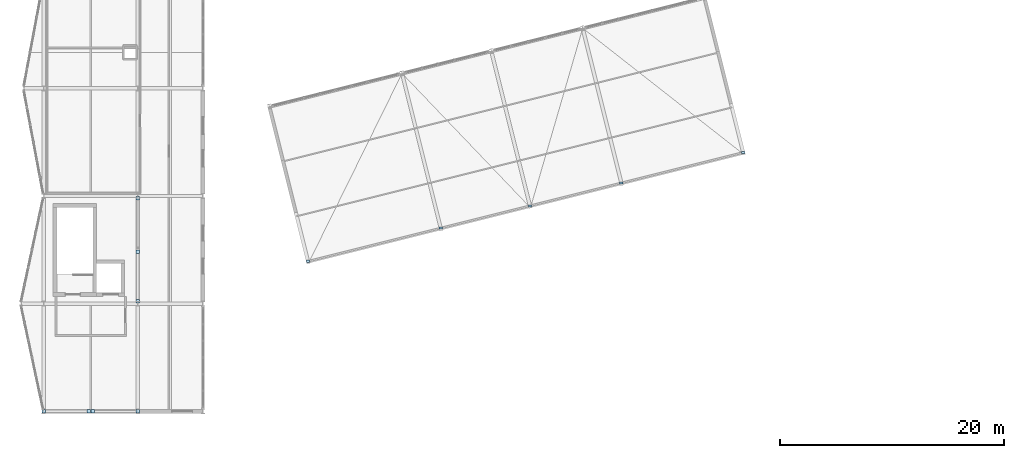
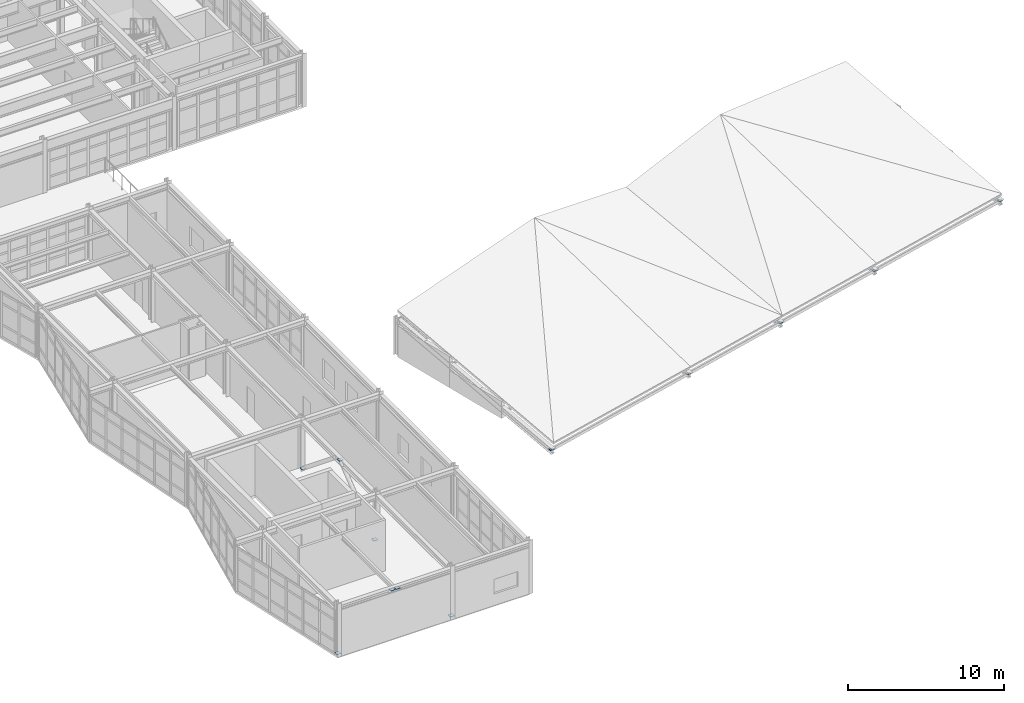
# One storey, part 38 of 47: 12 plates.
"""IFC4 building model written with IfcOpenShell, lengths in metres."""

import ifcopenshell
import ifcopenshell.guid

model = None  # the IFC model being written
_history = None  # IfcOwnerHistory: only IFC2X3 demands one
_inside = {}  # id of a spatial element -> (the spatial element, [elements in it])
_under = {}  # id of a project, library or spatial element -> (it, [spatial elements below it])
_declared = {}  # id of a project -> (the project, [libraries it declares])
_typed = {}  # id of a type object -> (the type object, [elements of that type])
_made_of = {}  # id of a material, layer set ... -> (it, [elements and type objects made of it])


def new_model(schema):
    """Start an empty IFC model of exactly this schema.

    Asked for "IFC4X3", IfcOpenShell would pick the latest addendum, in which some entities
    have other attributes; the version numbers below select the first issue.
    IFC2X3 requires an IfcOwnerHistory on every rooted entity: one is made here for all.
    """
    global model, _history
    if schema == "IFC4X3":
        model = ifcopenshell.file(schema_version=(4, 3, 0, 0))
    else:
        model = ifcopenshell.file(schema=schema)
    _inside.clear()
    _under.clear()
    _declared.clear()
    _typed.clear()
    _made_of.clear()
    _history = None
    if model.schema == "IFC2X3":
        org = make("IfcOrganization", Name="unknown")
        user = make(
            "IfcPersonAndOrganization",
            ThePerson=make("IfcPerson", FamilyName="unknown"),
            TheOrganization=org,
        )
        app = make(
            "IfcApplication",
            ApplicationDeveloper=org,
            Version="unknown",
            ApplicationFullName="unknown",
            ApplicationIdentifier="unknown",
        )
        _history = make(
            "IfcOwnerHistory",
            OwningUser=user,
            OwningApplication=app,
            ChangeAction="ADDED",
            CreationDate=0,
        )
    return model


def make(cls, **values):
    """One entity of the class cls with the attributes given. An attribute that is None is left unset."""
    return model.create_entity(
        cls, **{name: value for name, value in values.items() if value is not None}
    )


def rooted(cls, **values):
    """An entity with a GlobalId (a new one), such as an element, a storey or a relation."""
    return make(cls, GlobalId=ifcopenshell.guid.new(), OwnerHistory=_history, **values)


def si_unit(unit_type, name, prefix=None):
    """IfcSIUnit, for example si_unit("LENGTHUNIT", "METRE", prefix="MILLI")."""
    return make("IfcSIUnit", UnitType=unit_type, Prefix=prefix, Name=name)


def assignment(units):
    """IfcUnitAssignment: the units of a project."""
    return None if units is None else make("IfcUnitAssignment", Units=units)


def point(xyz):
    """IfcCartesianPoint."""
    return None if xyz is None else make("IfcCartesianPoint", Coordinates=xyz)


def direction(xyz):
    """IfcDirection."""
    return None if xyz is None else make("IfcDirection", DirectionRatios=xyz)


def frame(location, z_axis=None, x_axis=None):
    """IfcAxis2Placement3D, a coordinate frame: its origin and axes. An axis left out is left unset."""
    return make(
        "IfcAxis2Placement3D",
        Location=point(location),
        Axis=direction(z_axis),
        RefDirection=direction(x_axis),
    )


def frame_2d(location, x_axis=None):
    """IfcAxis2Placement2D, a coordinate frame in the plane: its origin and x axis."""
    return make(
        "IfcAxis2Placement2D", Location=point(location), RefDirection=direction(x_axis)
    )


def origin():
    """The frame at (0, 0, 0) with its axes left unset."""
    return frame((0.0, 0.0, 0.0))


def origin_2d():
    """The frame at (0, 0) in the plane with its x axis left unset."""
    return frame_2d((0.0, 0.0))


def place(relative_to, where):
    """IfcLocalPlacement: puts the frame where relative to a parent placement (None: the world)."""
    return make(
        "IfcLocalPlacement", PlacementRelTo=relative_to, RelativePlacement=where
    )


def context(
    kind, dimensions, precision=None, world=None, true_north=None, identifier=None
):
    """IfcGeometricRepresentationContext, for example the 3D "Model" context."""
    return make(
        "IfcGeometricRepresentationContext",
        ContextIdentifier=identifier,
        ContextType=kind,
        CoordinateSpaceDimension=dimensions,
        Precision=precision,
        WorldCoordinateSystem=world,
        TrueNorth=true_north,
    )


def subcontext(parent, identifier, kind, view, scale=None):
    """IfcGeometricRepresentationSubContext, for example "Body" below "Model"."""
    return make(
        "IfcGeometricRepresentationSubContext",
        ContextIdentifier=identifier,
        ContextType=kind,
        ParentContext=parent,
        TargetScale=scale,
        TargetView=view,
    )


def project(units=None, contexts=None):
    """IfcProject with its units and contexts."""
    return rooted(
        "IfcProject",
        Name="project",
        RepresentationContexts=contexts,
        UnitsInContext=assignment(units),
    )


def spatial(cls, under=None, at=None, **own):
    """A site, building, storey or space (cls), placed at a placement, below another one or the project."""
    s = rooted(cls, ObjectPlacement=at, **own)
    if under is not None:
        _under.setdefault(under.id(), (under, []))[1].append(s)
    return s


def profile(cls, at=None, kind="AREA", **sizes):
    """A parametric profile (cls). Its sizes go by their IFC names, for example OverallWidth=200.0."""
    return make(cls, ProfileType=kind, Position=at, **sizes)


def rectangle(**sizes):
    """IfcRectangleProfileDef."""
    return profile("IfcRectangleProfileDef", **sizes)


def extrude(swept, where, along, depth):
    """IfcExtrudedAreaSolid: the profile swept, set in the frame where, extruded along a direction by depth."""
    return make(
        "IfcExtrudedAreaSolid",
        SweptArea=swept,
        Position=where,
        ExtrudedDirection=direction(along),
        Depth=depth,
    )


def shape(context_of_items, identifier, shape_type, items):
    """IfcShapeRepresentation: the items that make up one representation, for example the "Body"."""
    return make(
        "IfcShapeRepresentation",
        ContextOfItems=context_of_items,
        RepresentationIdentifier=identifier,
        RepresentationType=shape_type,
        Items=items,
    )


def material(Name=None, Category=None):
    """IfcMaterial."""
    return make("IfcMaterial", Name=Name, Category=Category)


def layer(
    of_material, thickness, ventilated=None, Name=None, Category=None, Priority=None
):
    """IfcMaterialLayer: one layer of a wall or slab, of a material (None: an air gap)."""
    return make(
        "IfcMaterialLayer",
        Material=of_material,
        LayerThickness=thickness,
        IsVentilated=ventilated,
        Name=Name,
        Category=Category,
        Priority=Priority,
    )


def layer_set(layers, Name=None):
    """IfcMaterialLayerSet."""
    return make("IfcMaterialLayerSet", MaterialLayers=layers, LayerSetName=Name)


def made_of(thing, what):
    """Note that an element or type object is made of a material, layer set ...; save() writes the relation."""
    if what is not None:
        _made_of.setdefault(what.id(), (what, []))[1].append(thing)
    return thing


def type_object(cls, material=None, **own):
    """A type object (cls), such as IfcWallType, which elements share."""
    return made_of(rooted(cls, **own), material)


def element(
    cls,
    number,
    at=None,
    inside=None,
    cuts=None,
    type_object=None,
    material=None,
    context=None,
    identifier="Body",
    shape_type=None,
    held_by="IfcProductDefinitionShape",
    body=None,
    shapes=None,
    **own,
):
    """One element of the class cls, such as IfcWall. Its Tag is "e" and its number.

    at: its placement. inside: the storey or other place that contains it. cuts: it is an
    opening in that element (IfcRelVoidsElement). A single representation is given by context,
    identifier, shape_type and body (its items); several are given by shapes. held_by: the class
    of the entity that holds the representations. save() writes the other relations.
    """
    e = rooted(cls, Tag="e%d" % number, ObjectPlacement=at, **own)
    if body is not None:
        shapes = [shape(context, identifier, shape_type, body)]
    if shapes is not None:
        e.Representation = make(held_by, Representations=shapes)
    if inside is not None:
        _inside.setdefault(inside.id(), (inside, []))[1].append(e)
    if cuts is not None:
        rooted(
            "IfcRelVoidsElement", RelatingBuildingElement=cuts, RelatedOpeningElement=e
        )
    if type_object is not None:
        _typed.setdefault(type_object.id(), (type_object, []))[1].append(e)
    return made_of(e, material)


def aggregate(whole, parts):
    """IfcRelAggregates: a whole, such as a stair, and the parts it consists of."""
    return rooted("IfcRelAggregates", RelatingObject=whole, RelatedObjects=parts)


def save(model, path):
    """Write the relations noted so far, then the file.

    IfcRelAggregates (storeys below a building ...), IfcRelContainedInSpatialStructure (elements
    in a storey), IfcRelDefinesByType, IfcRelAssociatesMaterial and IfcRelDeclares: one each for
    every whole, place, type object, material and project.
    """
    for whole, parts in _under.values():
        aggregate(whole, parts)
    for where, things in _inside.values():
        rooted(
            "IfcRelContainedInSpatialStructure",
            RelatedElements=things,
            RelatingStructure=where,
        )
    for kind, things in _typed.values():
        rooted("IfcRelDefinesByType", RelatedObjects=things, RelatingType=kind)
    for what, things in _made_of.values():
        rooted("IfcRelAssociatesMaterial", RelatedObjects=things, RelatingMaterial=what)
    for by, libraries in _declared.values():
        rooted("IfcRelDeclares", RelatingContext=by, RelatedDefinitions=libraries)
    model.write(path)


model = new_model("IFC4")

# Units and contexts
model_context = context("Model", 3, precision=1e-05, world=origin(), true_north=direction((0.0, 1.0)))
body_context = subcontext(model_context, "Body", "Model", "MODEL_VIEW")
ifc_project = project(units=[si_unit("LENGTHUNIT", "METRE"), si_unit("AREAUNIT", "SQUARE_METRE"), si_unit("VOLUMEUNIT", "CUBIC_METRE"), si_unit("PLANEANGLEUNIT", "RADIAN"), si_unit("MASSUNIT", "GRAM", prefix="KILO")], contexts=[model_context])

# Site, building, storey
site_placement = place(None, origin())
site = spatial("IfcSite", under=ifc_project, at=site_placement, CompositionType="ELEMENT")
building_placement = place(site_placement, origin())
building = spatial("IfcBuilding", under=site, at=building_placement, Name="Nordkorset Police Headquarters", CompositionType="ELEMENT")
storey_placement = place(building_placement, frame((0.0, 0.0, 22.050048828125)))
storey = spatial("IfcBuildingStorey", under=building, at=storey_placement, Name="L05", CompositionType="ELEMENT", Elevation=22.050048828125)

# Plates
ifc_material = material(Name="Steel S355J2", Category="steel")
ifc_layer = layer(ifc_material, 0.02001953125, Name="Steel S355J2")
ifc_layer_set = layer_set([ifc_layer], Name="Steel S355J2")
plate_type = type_object("IfcPlateType", Name="SteelPlate_20mm", PredefinedType="SHEET", material=ifc_layer_set)
for number, where, z_axis, x_axis, name in (
    (1, (8.39990234375, 38.60009765625, 0.18994140625), (0.0, 0.0, 1.0), (1.0, 0.0, 0.0), "Hollow Section End Cap Plate BF-V3-A-L05-D1-0"),
    (2, (8.39990234375, 43.02001953125, 3.77001953125), (0.0, 0.0, 1.0), (1.0, 0.0, 0.0), "Hollow Section End Cap Plate BF-V3-A-L05-D1-1"),
    (3, (8.39990234375, 47.800048828125, 0.18994140625), (0.0, 0.0, 1.0), (1.0, 0.0, 0.0), "Hollow Section End Cap Plate BF-V3-A-L05-D2-0"),
    (4, (0.006591796875, 28.800048828125, 0.18994140625), (0.0, 0.0, 1.0), (1.0, 0.0, 0.0), "Hollow Section End Cap Plate BF-EXT-V3S-L05-D1-0"),
    (5, (4.02001953125, 28.800048828125, 3.77001953125), (0.0, 0.0, 1.0), (1.0, 0.0, 0.0), "Hollow Section End Cap Plate BF-EXT-V3S-L05-D1-1"),
    (6, (8.393310546875, 28.800048828125, 0.18994140625), (0.0, 0.0, 1.0), (1.0, 0.0, 0.0), "Hollow Section End Cap Plate BF-EXT-V3S-L05-D2-0"),
    (7, (4.3798828125, 28.800048828125, 3.77001953125), (0.0, 0.0, 1.0), (1.0, 0.0, 0.0), "Hollow Section End Cap Plate BF-EXT-V3S-L05-D2-1"),
):
    element("IfcPlate", number, at=place(storey_placement, frame(where, z_axis=z_axis, x_axis=x_axis)), inside=storey, type_object=plate_type, Name=name, PredefinedType="SHEET", context=body_context, shape_type="SweptSolid", body=[
        extrude(rectangle(XDim=0.31298828125, YDim=0.31298828125, at=origin_2d()), origin(), (0.0, 0.0, 1.0), 0.02001953125),
    ])
for number, where, z_axis, x_axis, name in (
    (8, (23.562255859375, 42.176025390625, -0.219970703125), (0.0, 0.0, 1.0), (1.0, 0.0, 0.0), "Hollow Section End Cap Plate CHD-V4-LO-0-0"),
    (9, (35.38623046875, 45.132080078125, -0.219970703125), (0.0, 0.0, 1.0), (1.0, 0.0, 0.0), "Hollow Section End Cap Plate CHD-V4-LO-0-1"),
    (10, (43.34130859375, 47.120849609375, -0.219970703125), (0.0, 0.0, 1.0), (1.0, 0.0, 0.0), "Hollow Section End Cap Plate CHD-V4-LO-1-1"),
    (11, (51.49072265625, 49.158203125, -0.219970703125), (0.0, 0.0, 1.0), (1.0, 0.0, 0.0), "Hollow Section End Cap Plate CHD-V4-LO-2-1"),
    (12, (62.356201171875, 51.87451171875, -0.219970703125), (0.0, 0.0, 1.0), (1.0, 0.0, 0.0), "Hollow Section End Cap Plate CHD-V4-LO-3-1"),
):
    element("IfcPlate", number, at=place(storey_placement, frame(where, z_axis=z_axis, x_axis=x_axis)), inside=storey, type_object=plate_type, Name=name, PredefinedType="SHEET", context=body_context, shape_type="SweptSolid", body=[
        extrude(rectangle(XDim=0.2900390625, YDim=0.18994140625, at=origin_2d()), origin(), (0.0, 0.0, 1.0), 0.02001953125),
    ])

save(model, "model.ifc")
